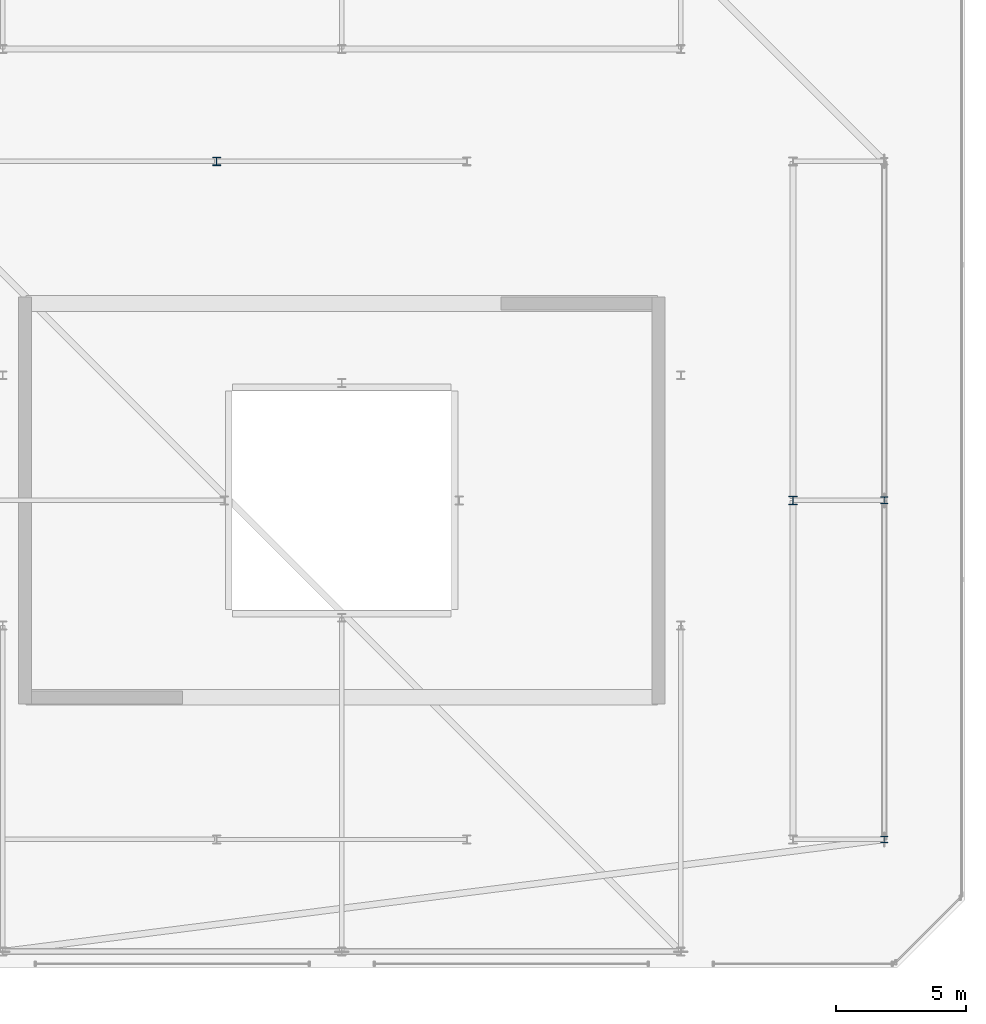
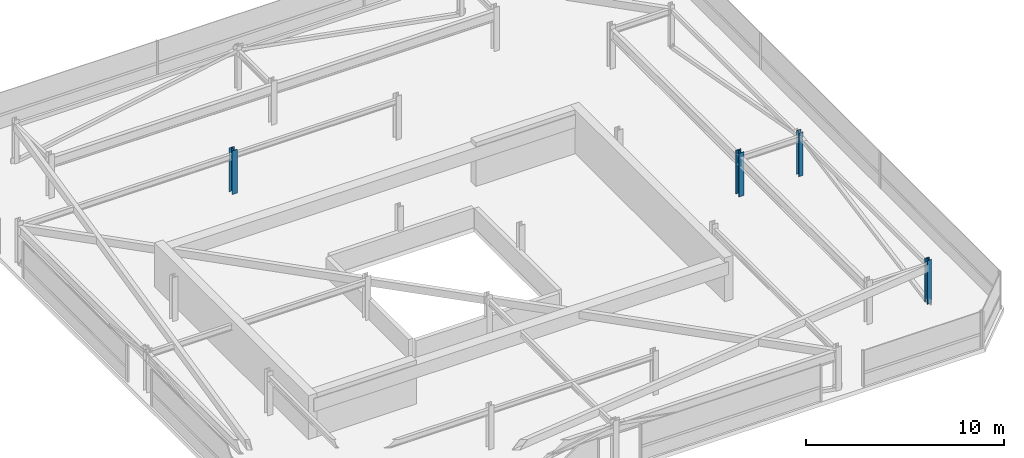
# One storey, part 7 of 44: 4 columns.
"""IFC4 building model written with IfcOpenShell, lengths in metres."""

import ifcopenshell
import ifcopenshell.guid

model = None  # the IFC model being written
_history = None  # IfcOwnerHistory: only IFC2X3 demands one
_inside = {}  # id of a spatial element -> (the spatial element, [elements in it])
_under = {}  # id of a project, library or spatial element -> (it, [spatial elements below it])
_declared = {}  # id of a project -> (the project, [libraries it declares])
_typed = {}  # id of a type object -> (the type object, [elements of that type])
_made_of = {}  # id of a material, layer set ... -> (it, [elements and type objects made of it])


def new_model(schema):
    """Start an empty IFC model of exactly this schema.

    Asked for "IFC4X3", IfcOpenShell would pick the latest addendum, in which some entities
    have other attributes; the version numbers below select the first issue.
    IFC2X3 requires an IfcOwnerHistory on every rooted entity: one is made here for all.
    """
    global model, _history
    if schema == "IFC4X3":
        model = ifcopenshell.file(schema_version=(4, 3, 0, 0))
    else:
        model = ifcopenshell.file(schema=schema)
    _inside.clear()
    _under.clear()
    _declared.clear()
    _typed.clear()
    _made_of.clear()
    _history = None
    if model.schema == "IFC2X3":
        org = make("IfcOrganization", Name="unknown")
        user = make(
            "IfcPersonAndOrganization",
            ThePerson=make("IfcPerson", FamilyName="unknown"),
            TheOrganization=org,
        )
        app = make(
            "IfcApplication",
            ApplicationDeveloper=org,
            Version="unknown",
            ApplicationFullName="unknown",
            ApplicationIdentifier="unknown",
        )
        _history = make(
            "IfcOwnerHistory",
            OwningUser=user,
            OwningApplication=app,
            ChangeAction="ADDED",
            CreationDate=0,
        )
    return model


def make(cls, **values):
    """One entity of the class cls with the attributes given. An attribute that is None is left unset."""
    return model.create_entity(
        cls, **{name: value for name, value in values.items() if value is not None}
    )


def rooted(cls, **values):
    """An entity with a GlobalId (a new one), such as an element, a storey or a relation."""
    return make(cls, GlobalId=ifcopenshell.guid.new(), OwnerHistory=_history, **values)


def si_unit(unit_type, name, prefix=None):
    """IfcSIUnit, for example si_unit("LENGTHUNIT", "METRE", prefix="MILLI")."""
    return make("IfcSIUnit", UnitType=unit_type, Prefix=prefix, Name=name)


def assignment(units):
    """IfcUnitAssignment: the units of a project."""
    return None if units is None else make("IfcUnitAssignment", Units=units)


def point(xyz):
    """IfcCartesianPoint."""
    return None if xyz is None else make("IfcCartesianPoint", Coordinates=xyz)


def direction(xyz):
    """IfcDirection."""
    return None if xyz is None else make("IfcDirection", DirectionRatios=xyz)


def frame(location, z_axis=None, x_axis=None):
    """IfcAxis2Placement3D, a coordinate frame: its origin and axes. An axis left out is left unset."""
    return make(
        "IfcAxis2Placement3D",
        Location=point(location),
        Axis=direction(z_axis),
        RefDirection=direction(x_axis),
    )


def frame_2d(location, x_axis=None):
    """IfcAxis2Placement2D, a coordinate frame in the plane: its origin and x axis."""
    return make(
        "IfcAxis2Placement2D", Location=point(location), RefDirection=direction(x_axis)
    )


def origin():
    """The frame at (0, 0, 0) with its axes left unset."""
    return frame((0.0, 0.0, 0.0))


def origin_2d():
    """The frame at (0, 0) in the plane with its x axis left unset."""
    return frame_2d((0.0, 0.0))


def place(relative_to, where):
    """IfcLocalPlacement: puts the frame where relative to a parent placement (None: the world)."""
    return make(
        "IfcLocalPlacement", PlacementRelTo=relative_to, RelativePlacement=where
    )


def context(
    kind, dimensions, precision=None, world=None, true_north=None, identifier=None
):
    """IfcGeometricRepresentationContext, for example the 3D "Model" context."""
    return make(
        "IfcGeometricRepresentationContext",
        ContextIdentifier=identifier,
        ContextType=kind,
        CoordinateSpaceDimension=dimensions,
        Precision=precision,
        WorldCoordinateSystem=world,
        TrueNorth=true_north,
    )


def subcontext(parent, identifier, kind, view, scale=None):
    """IfcGeometricRepresentationSubContext, for example "Body" below "Model"."""
    return make(
        "IfcGeometricRepresentationSubContext",
        ContextIdentifier=identifier,
        ContextType=kind,
        ParentContext=parent,
        TargetScale=scale,
        TargetView=view,
    )


def project(units=None, contexts=None):
    """IfcProject with its units and contexts."""
    return rooted(
        "IfcProject",
        Name="project",
        RepresentationContexts=contexts,
        UnitsInContext=assignment(units),
    )


def spatial(cls, under=None, at=None, **own):
    """A site, building, storey or space (cls), placed at a placement, below another one or the project."""
    s = rooted(cls, ObjectPlacement=at, **own)
    if under is not None:
        _under.setdefault(under.id(), (under, []))[1].append(s)
    return s


def profile(cls, at=None, kind="AREA", **sizes):
    """A parametric profile (cls). Its sizes go by their IFC names, for example OverallWidth=200.0."""
    return make(cls, ProfileType=kind, Position=at, **sizes)


def i_section(**sizes):
    """IfcIShapeProfileDef."""
    return profile("IfcIShapeProfileDef", **sizes)


def extrude(swept, where, along, depth):
    """IfcExtrudedAreaSolid: the profile swept, set in the frame where, extruded along a direction by depth."""
    return make(
        "IfcExtrudedAreaSolid",
        SweptArea=swept,
        Position=where,
        ExtrudedDirection=direction(along),
        Depth=depth,
    )


def shape(context_of_items, identifier, shape_type, items):
    """IfcShapeRepresentation: the items that make up one representation, for example the "Body"."""
    return make(
        "IfcShapeRepresentation",
        ContextOfItems=context_of_items,
        RepresentationIdentifier=identifier,
        RepresentationType=shape_type,
        Items=items,
    )


def material(Name=None, Category=None):
    """IfcMaterial."""
    return make("IfcMaterial", Name=Name, Category=Category)


def material_profile(
    of_material, cross_section, Name=None, Category=None, Priority=None
):
    """IfcMaterialProfile: a cross section and its material."""
    return make(
        "IfcMaterialProfile",
        Name=Name,
        Material=of_material,
        Profile=cross_section,
        Priority=Priority,
        Category=Category,
    )


def profile_set(profiles, Name=None, composite=None):
    """IfcMaterialProfileSet."""
    return make(
        "IfcMaterialProfileSet",
        Name=Name,
        MaterialProfiles=profiles,
        CompositeProfile=composite,
    )


def made_of(thing, what):
    """Note that an element or type object is made of a material, layer set ...; save() writes the relation."""
    if what is not None:
        _made_of.setdefault(what.id(), (what, []))[1].append(thing)
    return thing


def type_object(cls, material=None, **own):
    """A type object (cls), such as IfcWallType, which elements share."""
    return made_of(rooted(cls, **own), material)


def element(
    cls,
    number,
    at=None,
    inside=None,
    cuts=None,
    type_object=None,
    material=None,
    context=None,
    identifier="Body",
    shape_type=None,
    held_by="IfcProductDefinitionShape",
    body=None,
    shapes=None,
    **own,
):
    """One element of the class cls, such as IfcWall. Its Tag is "e" and its number.

    at: its placement. inside: the storey or other place that contains it. cuts: it is an
    opening in that element (IfcRelVoidsElement). A single representation is given by context,
    identifier, shape_type and body (its items); several are given by shapes. held_by: the class
    of the entity that holds the representations. save() writes the other relations.
    """
    e = rooted(cls, Tag="e%d" % number, ObjectPlacement=at, **own)
    if body is not None:
        shapes = [shape(context, identifier, shape_type, body)]
    if shapes is not None:
        e.Representation = make(held_by, Representations=shapes)
    if inside is not None:
        _inside.setdefault(inside.id(), (inside, []))[1].append(e)
    if cuts is not None:
        rooted(
            "IfcRelVoidsElement", RelatingBuildingElement=cuts, RelatedOpeningElement=e
        )
    if type_object is not None:
        _typed.setdefault(type_object.id(), (type_object, []))[1].append(e)
    return made_of(e, material)


def aggregate(whole, parts):
    """IfcRelAggregates: a whole, such as a stair, and the parts it consists of."""
    return rooted("IfcRelAggregates", RelatingObject=whole, RelatedObjects=parts)


def save(model, path):
    """Write the relations noted so far, then the file.

    IfcRelAggregates (storeys below a building ...), IfcRelContainedInSpatialStructure (elements
    in a storey), IfcRelDefinesByType, IfcRelAssociatesMaterial and IfcRelDeclares: one each for
    every whole, place, type object, material and project.
    """
    for whole, parts in _under.values():
        aggregate(whole, parts)
    for where, things in _inside.values():
        rooted(
            "IfcRelContainedInSpatialStructure",
            RelatedElements=things,
            RelatingStructure=where,
        )
    for kind, things in _typed.values():
        rooted("IfcRelDefinesByType", RelatedObjects=things, RelatingType=kind)
    for what, things in _made_of.values():
        rooted("IfcRelAssociatesMaterial", RelatedObjects=things, RelatingMaterial=what)
    for by, libraries in _declared.values():
        rooted("IfcRelDeclares", RelatingContext=by, RelatedDefinitions=libraries)
    model.write(path)


model = new_model("IFC4")

# Units and contexts
model_context = context("Model", 3, precision=1e-05, world=origin(), true_north=direction((0.0, 1.0)))
body_context = subcontext(model_context, "Body", "Model", "MODEL_VIEW")
ifc_project = project(units=[si_unit("LENGTHUNIT", "METRE"), si_unit("AREAUNIT", "SQUARE_METRE"), si_unit("VOLUMEUNIT", "CUBIC_METRE"), si_unit("PLANEANGLEUNIT", "RADIAN"), si_unit("MASSUNIT", "GRAM", prefix="KILO")], contexts=[model_context])

# Site, building, storey
site_placement = place(None, origin())
site = spatial("IfcSite", under=ifc_project, at=site_placement, CompositionType="ELEMENT")
building_placement = place(site_placement, origin())
building = spatial("IfcBuilding", under=site, at=building_placement, Name="Thornwick Lancets Civic Towers", CompositionType="ELEMENT")
storey_placement = place(building_placement, frame((0.0, 0.0, 292.199951171875)))
storey = spatial("IfcBuildingStorey", under=building, at=storey_placement, Name="C05", CompositionType="ELEMENT", Elevation=292.199951171875)

# Columns
ifc_material = material(Name="Steel S355JR", Category="steel")
ifc_material_profile_1 = material_profile(ifc_material, i_section(OverallWidth=0.30908203125, OverallDepth=0.320556640625, WebThickness=0.013916015625, FlangeThickness=0.021728515625, FilletRadius=0.01513671875, at=origin_2d()), Name="UKC 305x305x137")
ifc_profile_set_1 = profile_set([ifc_material_profile_1], Name="Steel S355JR")
column_type_1 = type_object("IfcColumnType", Name="COL_UKC_137", PredefinedType="COLUMN", material=ifc_profile_set_1)
for number, where, z_axis, x_axis, name in (
    (1, (105.800048828125, 27.0, 0.0), (0.0, 0.0, 1.0), (1.0, 0.0, 0.0), "C05 Spine Mega-Column B02"),
    (2, (83.699951171875, 40.0, 0.0), (0.0, 0.0, 1.0), (1.0, 0.0, 0.0), "C05 Spine Mega-Column B16"),
):
    element("IfcColumn", number, at=place(storey_placement, frame(where, z_axis=z_axis, x_axis=x_axis)), inside=storey, type_object=column_type_1, Name=name, PredefinedType="COLUMN", context=body_context, shape_type="SweptSolid", body=[
        extrude(i_section(OverallWidth=0.30908203125, OverallDepth=0.320556640625, WebThickness=0.013916015625, FlangeThickness=0.021728515625, FilletRadius=0.01513671875, at=origin_2d()), origin(), (0.0, 0.0, 1.0), 2.699951171875),
    ])
ifc_material_profile_2 = material_profile(ifc_material, i_section(OverallWidth=0.25634765625, OverallDepth=0.26025390625, WebThickness=0.01025390625, FlangeThickness=0.017333984375, FilletRadius=0.0126953125, at=origin_2d()), Name="UKC 254x254x89")
ifc_profile_set_2 = profile_set([ifc_material_profile_2], Name="Steel S355JR")
column_type_2 = type_object("IfcColumnType", Name="COL_UKC_89", PredefinedType="COLUMN", material=ifc_profile_set_2)
for number, where, z_axis, x_axis, name in (
    (3, (109.300048828125, 14.0, 0.0), (0.0, 0.0, 1.0), (1.0, 0.0, 0.0), "C05 Block Perimeter Column B01"),
    (4, (109.300048828125, 27.0, 0.0), (0.0, 0.0, 1.0), (1.0, 0.0, 0.0), "C05 Block Perimeter Column B02"),
):
    element("IfcColumn", number, at=place(storey_placement, frame(where, z_axis=z_axis, x_axis=x_axis)), inside=storey, type_object=column_type_2, Name=name, PredefinedType="COLUMN", context=body_context, shape_type="SweptSolid", body=[
        extrude(i_section(OverallWidth=0.25634765625, OverallDepth=0.26025390625, WebThickness=0.01025390625, FlangeThickness=0.017333984375, FilletRadius=0.0126953125, at=origin_2d()), origin(), (0.0, 0.0, 1.0), 2.699951171875),
    ])

save(model, "model.ifc")
